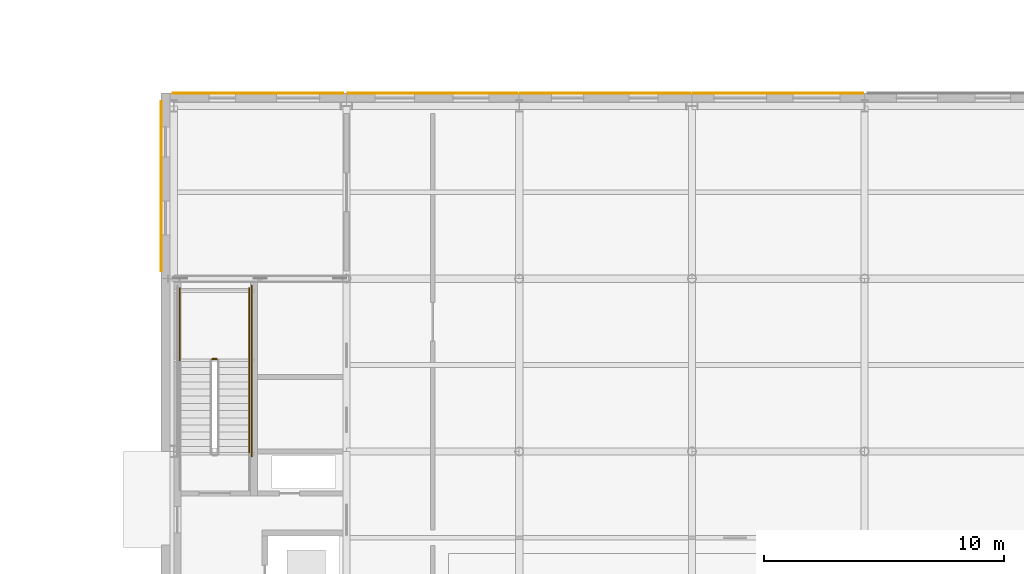
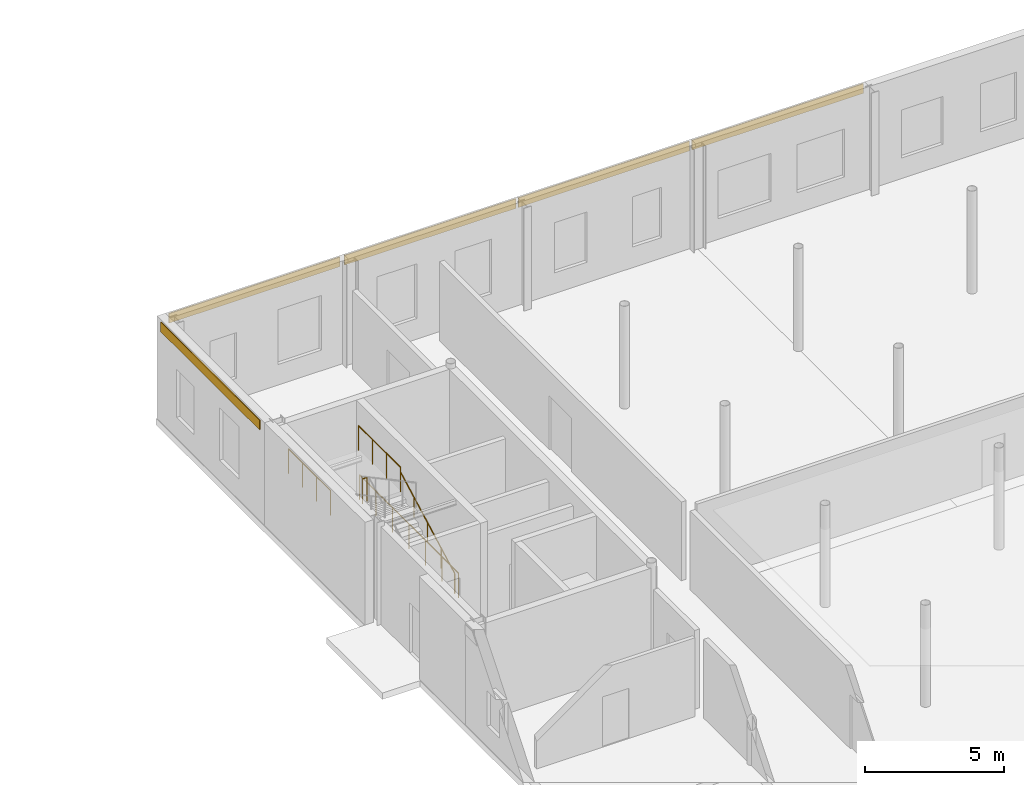
# One storey, part 90 of 92: 5 coverings, 5 railings.
"""IFC4 building model written with IfcOpenShell, lengths in metres."""

from ifc_helpers import new_model, si_unit, direction, frame, origin, origin_2d, place, context, subcontext, project, spatial, rectangle, circle, extrude, material, layer, layer_set, type_object, element, save


model = new_model("IFC4")

# Units and contexts
model_context = context("Model", 3, precision=1e-05, world=origin(), true_north=direction((0.0, 1.0)))
body_context = subcontext(model_context, "Body", "Model", "MODEL_VIEW")
ifc_project = project(units=[si_unit("LENGTHUNIT", "METRE"), si_unit("AREAUNIT", "SQUARE_METRE"), si_unit("VOLUMEUNIT", "CUBIC_METRE"), si_unit("PLANEANGLEUNIT", "RADIAN"), si_unit("MASSUNIT", "GRAM", prefix="KILO")], contexts=[model_context])

# Site, building, storey
site_placement = place(None, origin())
site = spatial("IfcSite", under=ifc_project, at=site_placement, CompositionType="ELEMENT")
building_placement = place(site_placement, origin())
building = spatial("IfcBuilding", under=site, at=building_placement, Name="Zlatovets Crest Museum", CompositionType="ELEMENT")
storey_placement = place(building_placement, origin())
storey = spatial("IfcBuildingStorey", under=building, at=storey_placement, Name="L00", CompositionType="ELEMENT", Elevation=0.0)

# Coverings
ifc_material_1 = material(Name="Polychrome turquoise-gold glazed majolica ceramic frieze")
ifc_layer = layer(ifc_material_1, 0.0400390625)
ifc_layer_set = layer_set([ifc_layer], Name="Polychrome turquoise-gold glazed majolica ceramic frieze")
covering_type = type_object("IfcCoveringType", Name="MajolicaFrieze_CL01", PredefinedType="CLADDING", material=ifc_layer_set)
for number, where, z_axis, x_axis, name in (
    (1, (154.800048828125, 101.330078125, 4.010009765625), (0.0, 0.0, 1.0), (1.0, 0.0, 0.0), "Sofia Secession Majolica Plinth Frieze"),
    (2, (147.60009765625, 101.330078125, 4.010009765625), (0.0, 0.0, 1.0), (1.0, 0.0, 0.0), "Sofia Secession Majolica Plinth Frieze"),
    (3, (140.39990234375, 101.330078125, 4.010009765625), (0.0, 0.0, 1.0), (1.0, 0.0, 0.0), "Sofia Secession Majolica Plinth Frieze"),
    (4, (133.117431640625, 101.330078125, 4.010009765625), (0.0, 0.0, 1.0), (1.0, 0.0, 0.0), "Sofia Secession Majolica Plinth Frieze"),
    (5, (129.070068359375, 97.45751953125, 4.010009765625), (0.0, 0.0, 1.0), (0.0, 1.0, 0.0), "Sofia Secession Majolica Plinth Frieze"),
):
    element("IfcCovering", number, at=place(storey_placement, frame(where, z_axis=z_axis, x_axis=x_axis)), inside=storey, type_object=covering_type, Name=name, PredefinedType="CLADDING", context=body_context, shape_type="SweptSolid", body=[
        extrude(rectangle(XDim=7.10009765625, YDim=0.0400390625, at=origin_2d()), origin(), (0.0, 0.0, 1.0), 0.419921875),
    ])

# Railings
ifc_material_2 = material(Name="Painted steel safety guardrail", Category="steel")
railing_type_1 = type_object("IfcRailingType", Name="StairGuard_SG01", PredefinedType="GUARDRAIL", material=ifc_material_2)
railing_1_placement = place(storey_placement, frame((131.39990234375, 90.25, 2.25)))
element("IfcRailing", 6, at=railing_1_placement, inside=storey, type_object=railing_type_1, Name="L00 ST8 stair guard 2", PredefinedType="GUARDRAIL", context=body_context, shape_type="SweptSolid", body=[
    extrude(circle(Radius=0.02392578125, at=origin_2d()), frame((0.0, 0.0, 1.076171875), z_axis=(-1.0, 0.0, 0.0), x_axis=(0.0, -1.0, 0.0)), (0.0, 0.0, 1.0), 0.199951171875),
    extrude(circle(Radius=0.02099609375, at=origin_2d()), origin(), (0.0, 0.0, 1.0), 1.052001953125),
    extrude(circle(Radius=0.02099609375, at=origin_2d()), frame((-0.199951171875, 0.0, 0.0)), (0.0, 0.0, 1.0), 1.052001953125),
])
for number, where, name in (
    (7, (132.75, 90.199951171875, 2.25), "L00 ST8 stair guard 3"),
    (8, (129.85009765625, 90.199951171875, 2.25), "L00 ST8 stair guard 4"),
):
    element("IfcRailing", number, at=place(storey_placement, frame(where)), inside=storey, type_object=railing_type_1, Name=name, PredefinedType="GUARDRAIL", context=body_context, shape_type="SweptSolid", body=[
        extrude(circle(Radius=0.02392578125, at=origin_2d()), frame((0.0, 0.0, 1.076171875), z_axis=(0.0, 1.0, 0.0), x_axis=(-1.0, 0.0, 0.0)), (0.0, 0.0, 1.0), 3.0),
        extrude(circle(Radius=0.02099609375, at=origin_2d()), origin(), (0.0, 0.0, 1.0), 1.052001953125),
        extrude(circle(Radius=0.02099609375, at=origin_2d()), frame((0.0, 1.0, 0.0)), (0.0, 0.0, 1.0), 1.052001953125),
        extrude(circle(Radius=0.02099609375, at=origin_2d()), frame((0.0, 2.0, 0.0)), (0.0, 0.0, 1.0), 1.052001953125),
        extrude(circle(Radius=0.02099609375, at=origin_2d()), frame((0.0, 3.0, 0.0)), (0.0, 0.0, 1.0), 1.052001953125),
    ])
railing_2_placement = place(storey_placement, frame((132.85009765625, 86.199951171875, 0.0)))
element("IfcRailing", 9, at=railing_2_placement, inside=storey, type_object=railing_type_1, Name="L00 ST8 stair guard 9", PredefinedType="GUARDRAIL", context=body_context, shape_type="SweptSolid", body=[
    extrude(circle(Radius=0.02392578125, at=origin_2d()), frame((0.0, 0.0, 1.076171875), z_axis=(0.0, 1.0, 0.0), x_axis=(-1.0, 0.0, 0.0)), (0.0, 0.0, 1.0), 7.10009765625),
    extrude(circle(Radius=0.02099609375, at=origin_2d()), origin(), (0.0, 0.0, 1.0), 1.052001953125),
    extrude(circle(Radius=0.02099609375, at=origin_2d()), frame((0.0, 1.183349609375, 0.0)), (0.0, 0.0, 1.0), 1.052001953125),
    extrude(circle(Radius=0.02099609375, at=origin_2d()), frame((0.0, 2.36669921875, 0.0)), (0.0, 0.0, 1.0), 1.052001953125),
    extrude(circle(Radius=0.02099609375, at=origin_2d()), frame((0.0, 3.550048828125, 0.0)), (0.0, 0.0, 1.0), 1.052001953125),
    extrude(circle(Radius=0.02099609375, at=origin_2d()), frame((0.0, 4.7333984375, 0.0)), (0.0, 0.0, 1.0), 1.052001953125),
    extrude(circle(Radius=0.02099609375, at=origin_2d()), frame((0.0, 5.916748046875, 0.0)), (0.0, 0.0, 1.0), 1.052001953125),
    extrude(circle(Radius=0.02099609375, at=origin_2d()), frame((0.0, 7.10009765625, 0.0)), (0.0, 0.0, 1.0), 1.052001953125),
])
ifc_material_3 = material(Name="Brushed bronze stair handrail")
railing_type_2 = type_object("IfcRailingType", Name="StairHandrail_SH01", PredefinedType="HANDRAIL", material=ifc_material_3)
railing_3_placement = place(storey_placement, frame((132.75, 86.300048828125, 0.16064453125)))
element("IfcRailing", 10, at=railing_3_placement, inside=storey, type_object=railing_type_2, Name="L00 ST8 stair handrail 1", PredefinedType="HANDRAIL", context=body_context, shape_type="SweptSolid", body=[
    extrude(circle(Radius=0.02392578125, at=origin_2d()), frame((0.0, 0.0, 0.8759765625), z_axis=(0.0, 0.881468485026, 0.472242850561), x_axis=(-1.0, 0.0, 0.0)), (0.0, 0.0, 1.0), 4.42431640625),
    extrude(circle(Radius=0.02099609375, at=origin_2d()), origin(), (0.0, 0.0, 1.0), 0.851806640625),
    extrude(circle(Radius=0.02099609375, at=origin_2d()), frame((0.0, 0.97509765625, 0.5224609375)), (0.0, 0.0, 1.0), 0.851806640625),
    extrude(circle(Radius=0.02099609375, at=origin_2d()), frame((0.0, 1.949951171875, 1.044677734375)), (0.0, 0.0, 1.0), 0.851806640625),
    extrude(circle(Radius=0.02099609375, at=origin_2d()), frame((0.0, 2.9248046875, 1.56689453125)), (0.0, 0.0, 1.0), 0.851806640625),
    extrude(circle(Radius=0.02099609375, at=origin_2d()), frame((0.0, 3.89990234375, 2.08935546875)), (0.0, 0.0, 1.0), 0.851806640625),
])

save(model, "model.ifc")
